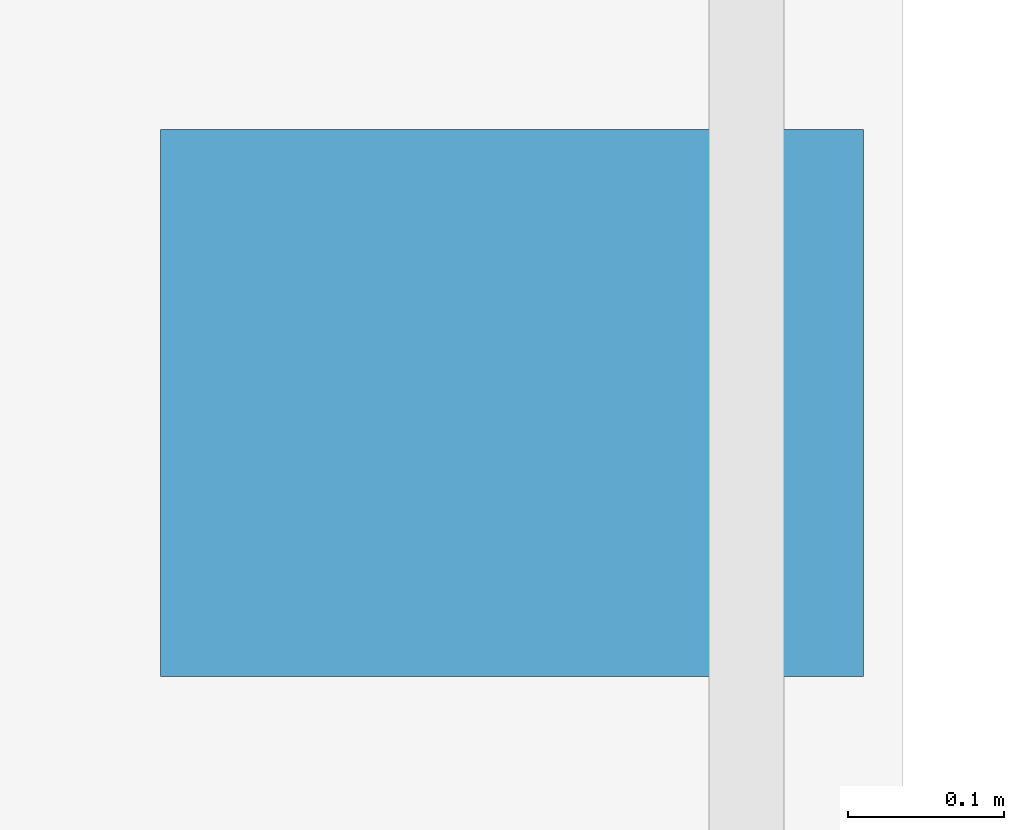
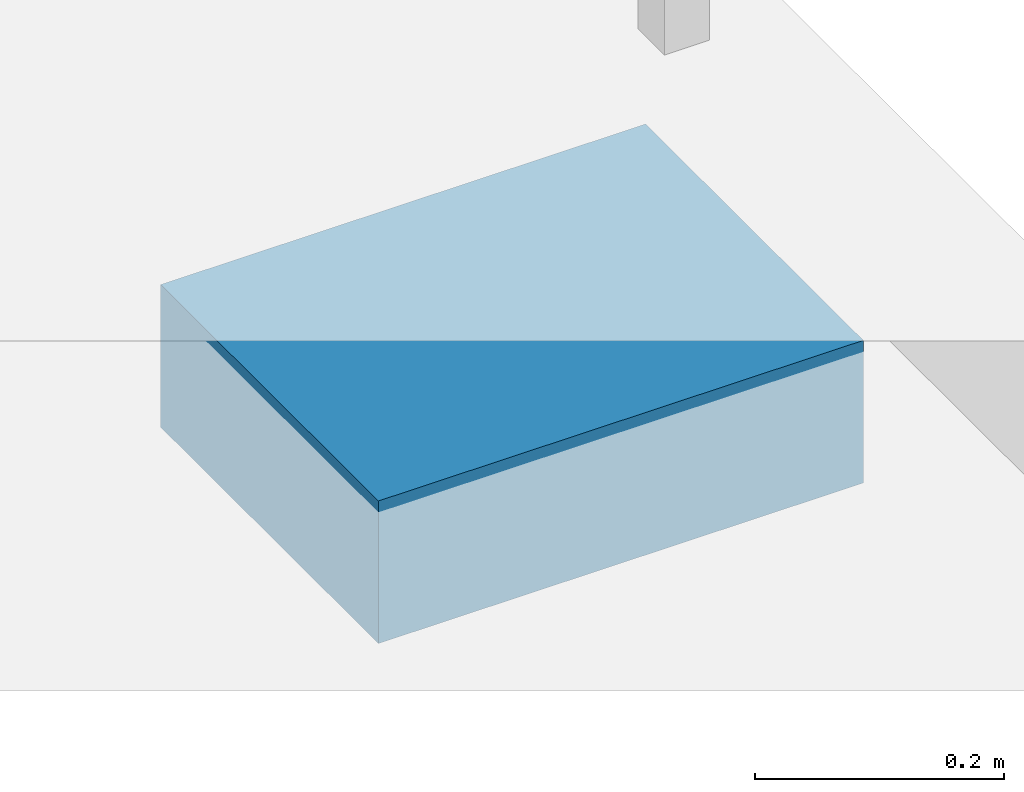
# One storey, part 65 of 83: 1 discrete accessory.
"""IFC4 building model written with IfcOpenShell, lengths in metres."""

from ifc_helpers import new_model, si_unit, direction, frame, origin, origin_2d, place, context, subcontext, project, spatial, rectangle, extrude, material, type_object, element, save


model = new_model("IFC4")

# Units and contexts
model_context = context("Model", 3, precision=1e-05, world=origin(), true_north=direction((0.0, 1.0)))
body_context = subcontext(model_context, "Body", "Model", "MODEL_VIEW")
ifc_project = project(units=[si_unit("LENGTHUNIT", "METRE"), si_unit("AREAUNIT", "SQUARE_METRE"), si_unit("VOLUMEUNIT", "CUBIC_METRE"), si_unit("PLANEANGLEUNIT", "RADIAN"), si_unit("MASSUNIT", "GRAM", prefix="KILO")], contexts=[model_context])

# Site, building, storey
site_placement = place(None, origin())
site = spatial("IfcSite", under=ifc_project, at=site_placement, CompositionType="ELEMENT")
building_placement = place(site_placement, origin())
building = spatial("IfcBuilding", under=site, at=building_placement, Name="Saryqyr Civic Hall", CompositionType="ELEMENT")
storey_placement = place(building_placement, frame((0.0, 0.0, 9.14990234375)))
storey = spatial("IfcBuildingStorey", under=building, at=storey_placement, Name="L02", CompositionType="ELEMENT", Elevation=9.14990234375)

# Discrete accessory
ifc_material = material(Name="Steel S355", Category="steel")
discrete_accessory_type = type_object("IfcDiscreteAccessoryType", Name="STR-ACC-PTFE-BRG", PredefinedType="BRACKET", material=ifc_material)
discrete_accessory_placement = place(storey_placement, frame((105.14990234375, 84.0, -0.35986328125), z_axis=(0.0, 0.0, 1.0), x_axis=(1.0, 0.0, 0.0)))
element("IfcDiscreteAccessory", 1, at=discrete_accessory_placement, inside=storey, type_object=discrete_accessory_type, Name="Unguided PTFE sliding bridge bearing BR-E L02 2", PredefinedType="BRACKET", context=body_context, shape_type="SweptSolid", body=[
    extrude(rectangle(XDim=0.449951171875, YDim=0.35009765625, at=origin_2d()), origin(), (0.0, 0.0, 1.0), 0.139892578125),
])

save(model, "model.ifc")
